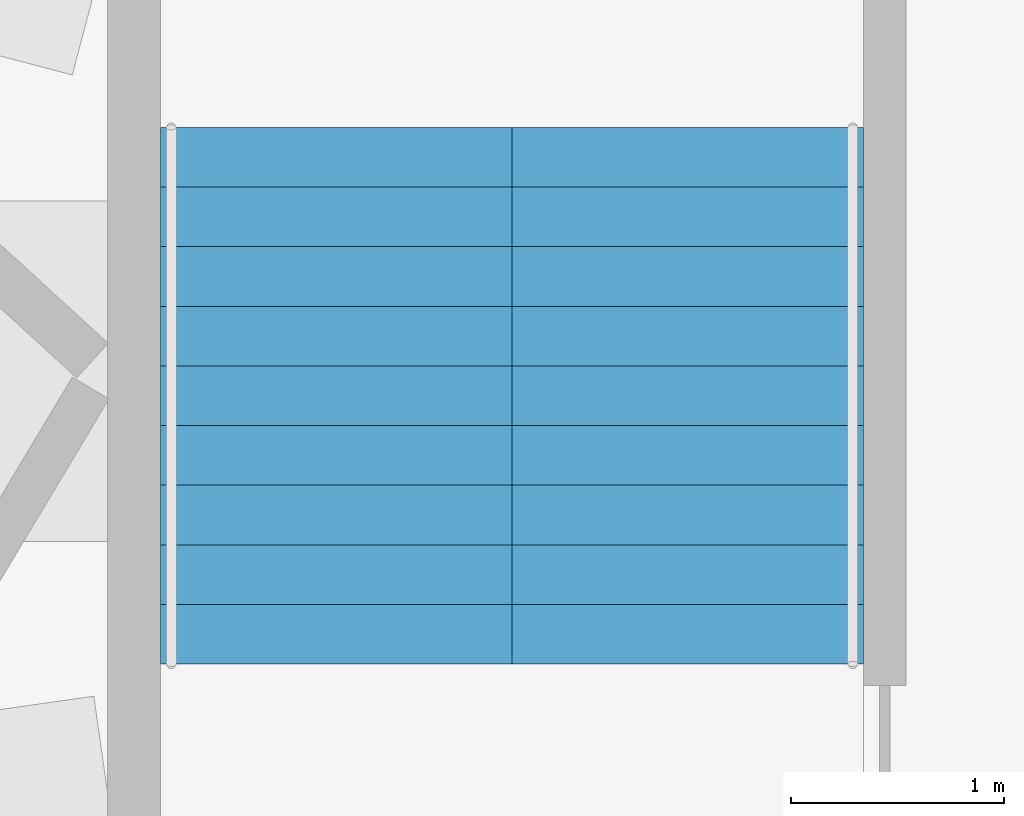
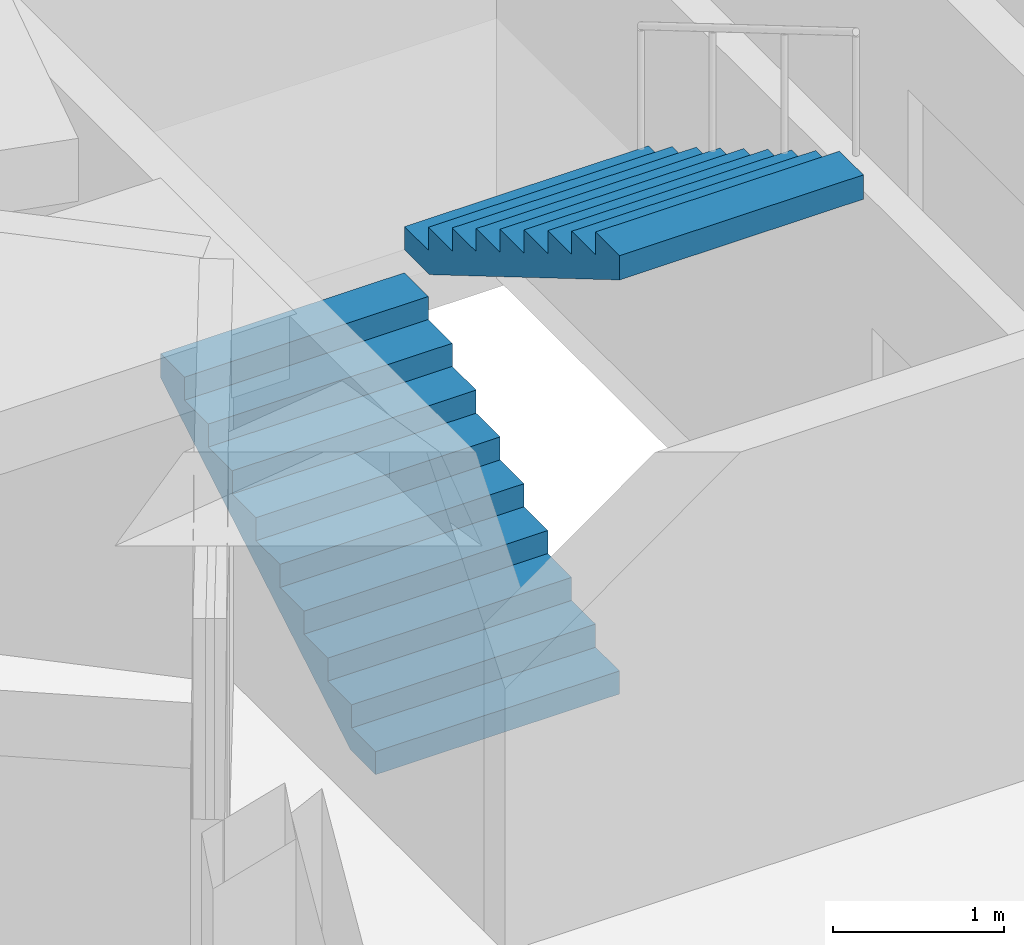
# One storey, part 9 of 12: 2 stair flights, 1 element without a shape of its own.
"""IFC4 building model written with IfcOpenShell, lengths in metres."""

from ifc_helpers import new_model, si_unit, direction, frame, origin, place, context, subcontext, project, spatial, polyline, outline, extrude, material, type_object, element, aggregate, save


model = new_model("IFC4")

# Units and contexts
model_context = context("Model", 3, precision=1e-05, world=origin(), true_north=direction((0.0, 1.0)))
body_context = subcontext(model_context, "Body", "Model", "MODEL_VIEW")
ifc_project = project(units=[si_unit("LENGTHUNIT", "METRE"), si_unit("AREAUNIT", "SQUARE_METRE"), si_unit("VOLUMEUNIT", "CUBIC_METRE"), si_unit("PLANEANGLEUNIT", "RADIAN"), si_unit("MASSUNIT", "GRAM", prefix="KILO")], contexts=[model_context])

# Site, building, storey
site_placement = place(None, origin())
site = spatial("IfcSite", under=ifc_project, at=site_placement, CompositionType="ELEMENT")
building_placement = place(site_placement, origin())
building = spatial("IfcBuilding", under=site, at=building_placement, Name="Taillehof Tower", CompositionType="ELEMENT")
storey_placement = place(building_placement, frame((0.0, 0.0, 148.39990234375)))
storey = spatial("IfcBuildingStorey", under=building, at=storey_placement, Name="L41", CompositionType="ELEMENT", Elevation=148.39990234375)

# Stair, stair flights
ifc_material_1 = material(Name="Concrete C40/50", Category="concrete")
stair_type = type_object("IfcStairType", Name="Exit stair half-turn", PredefinedType="HALF_TURN_STAIR", material=ifc_material_1)
stair_placement = place(storey_placement, origin())
stair = element("IfcStair", 1, at=stair_placement, inside=storey, type_object=stair_type, Name="Exit stair S3", PredefinedType="HALF_TURN_STAIR")
ifc_material_2 = material(Name="Concrete C40/50", Category="concrete")
stair_flight_type = type_object("IfcStairFlightType", Name="Stair flight 1650 riser 165.0 going 280", PredefinedType="STRAIGHT", material=ifc_material_2)
stair_flight_1_placement = place(storey_placement, frame((-13.425048828125, 9.449951171875, 0.0), z_axis=(0.0, 0.0, 1.0), x_axis=(0.0, 1.0, 0.0)))
stair_flight_1 = element("IfcStairFlight", 2, at=stair_flight_1_placement, type_object=stair_flight_type, Name="S3 flight 1", NumberOfRisers=10, NumberOfTreads=9, PredefinedType="STRAIGHT", RiserHeight=0.165, TreadLength=0.28, context=body_context, shape_type="SweptSolid", body=[
    extrude(outline(polyline([(0.0, 0.0), (0.0, 0.00537109375), (0.0, 0.0107421875), (0.0, 0.015869140625), (0.0, 0.021240234375), (0.0, 0.026611328125), (0.0, 0.031982421875), (0.0, 0.037353515625), (0.0, 0.04248046875), (0.0, 0.0478515625), (0.0, 0.05322265625), (0.0, 0.05859375), (0.0, 0.06396484375), (0.0, 0.069091796875), (0.0, 0.074462890625), (0.0, 0.079833984375), (0.0, 0.085205078125), (0.0, 0.090576171875), (0.0, 0.095703125), (0.0, 0.10107421875), (0.0, 0.1064453125), (0.0, 0.11181640625), (0.0, 0.1171875), (0.0, 0.122314453125), (0.0, 0.127685546875), (0.0, 0.133056640625), (0.0, 0.138427734375), (0.0, 0.143798828125), (0.0, 0.14892578125), (0.0, 0.154296875), (0.0, 0.15966796875), (0.0, 0.1650390625), (0.280029296875, 0.1650390625), (0.280029296875, 0.330078125), (0.56005859375, 0.330078125), (0.56005859375, 0.4951171875), (0.840087890625, 0.4951171875), (0.840087890625, 0.659912109375), (1.1201171875, 0.659912109375), (1.1201171875, 0.824951171875), (1.39990234375, 0.824951171875), (1.39990234375, 0.989990234375), (1.679931640625, 0.989990234375), (1.679931640625, 1.155029296875), (1.9599609375, 1.155029296875), (1.9599609375, 1.320068359375), (2.239990234375, 1.320068359375), (2.239990234375, 1.485107421875), (2.52001953125, 1.485107421875), (2.52001953125, 1.4794921875), (2.52001953125, 1.473876953125), (2.52001953125, 1.46826171875), (2.52001953125, 1.462646484375), (2.52001953125, 1.45703125), (2.52001953125, 1.451416015625), (2.52001953125, 1.44580078125), (2.52001953125, 1.440185546875), (2.52001953125, 1.4345703125), (2.52001953125, 1.428955078125), (2.52001953125, 1.42333984375), (2.52001953125, 1.417724609375), (2.52001953125, 1.412109375), (2.52001953125, 1.406494140625), (2.52001953125, 1.40087890625), (2.52001953125, 1.395263671875), (2.52001953125, 1.3896484375), (2.52001953125, 1.384033203125), (2.52001953125, 1.37841796875), (2.52001953125, 1.372802734375), (2.52001953125, 1.3671875), (2.52001953125, 1.361572265625), (2.52001953125, 1.35595703125), (2.52001953125, 1.350341796875), (2.52001953125, 1.3447265625), (2.52001953125, 1.339111328125), (2.52001953125, 1.33349609375), (2.52001953125, 1.327880859375), (2.52001953125, 1.322265625), (2.52001953125, 1.316650390625), (2.52001953125, 1.31103515625), (0.295166015625, 0.0), (0.0, 0.0)])), frame((0.0, 0.824951171875, 0.0), z_axis=(0.0, -1.0, 0.0), x_axis=(1.0, 0.0, 0.0)), (0.0, 0.0, 1.0), 1.65),
])
stair_flight_2_placement = place(storey_placement, frame((-11.77490234375, 11.969970703125, 1.650146484375), z_axis=(0.0, 0.0, 1.0), x_axis=(0.0, -1.0, 0.0)))
stair_flight_2 = element("IfcStairFlight", 3, at=stair_flight_2_placement, type_object=stair_flight_type, Name="S3 flight 2", NumberOfRisers=10, NumberOfTreads=9, PredefinedType="STRAIGHT", RiserHeight=0.165, TreadLength=0.28, context=body_context, shape_type="SweptSolid", body=[
    extrude(outline(polyline([(0.0, 0.0), (0.0, 0.00537109375), (0.0, 0.0107421875), (0.0, 0.015869140625), (0.0, 0.021240234375), (0.0, 0.026611328125), (0.0, 0.031982421875), (0.0, 0.037353515625), (0.0, 0.04248046875), (0.0, 0.0478515625), (0.0, 0.05322265625), (0.0, 0.05859375), (0.0, 0.06396484375), (0.0, 0.069091796875), (0.0, 0.074462890625), (0.0, 0.079833984375), (0.0, 0.085205078125), (0.0, 0.090576171875), (0.0, 0.095703125), (0.0, 0.10107421875), (0.0, 0.1064453125), (0.0, 0.11181640625), (0.0, 0.1171875), (0.0, 0.122314453125), (0.0, 0.127685546875), (0.0, 0.133056640625), (0.0, 0.138427734375), (0.0, 0.143798828125), (0.0, 0.14892578125), (0.0, 0.154296875), (0.0, 0.15966796875), (0.0, 0.1650390625), (0.280029296875, 0.1650390625), (0.280029296875, 0.330078125), (0.56005859375, 0.330078125), (0.56005859375, 0.4951171875), (0.840087890625, 0.4951171875), (0.840087890625, 0.659912109375), (1.1201171875, 0.659912109375), (1.1201171875, 0.824951171875), (1.39990234375, 0.824951171875), (1.39990234375, 0.989990234375), (1.679931640625, 0.989990234375), (1.679931640625, 1.155029296875), (1.9599609375, 1.155029296875), (1.9599609375, 1.320068359375), (2.239990234375, 1.320068359375), (2.239990234375, 1.485107421875), (2.52001953125, 1.485107421875), (2.52001953125, 1.4794921875), (2.52001953125, 1.473876953125), (2.52001953125, 1.46826171875), (2.52001953125, 1.462646484375), (2.52001953125, 1.45703125), (2.52001953125, 1.451416015625), (2.52001953125, 1.44580078125), (2.52001953125, 1.440185546875), (2.52001953125, 1.4345703125), (2.52001953125, 1.428955078125), (2.52001953125, 1.42333984375), (2.52001953125, 1.417724609375), (2.52001953125, 1.412109375), (2.52001953125, 1.406494140625), (2.52001953125, 1.40087890625), (2.52001953125, 1.395263671875), (2.52001953125, 1.3896484375), (2.52001953125, 1.384033203125), (2.52001953125, 1.37841796875), (2.52001953125, 1.372802734375), (2.52001953125, 1.3671875), (2.52001953125, 1.361572265625), (2.52001953125, 1.35595703125), (2.52001953125, 1.350341796875), (2.52001953125, 1.3447265625), (2.52001953125, 1.339111328125), (2.52001953125, 1.33349609375), (2.52001953125, 1.327880859375), (2.52001953125, 1.322265625), (2.52001953125, 1.316650390625), (2.52001953125, 1.31103515625), (0.295166015625, 0.0), (0.0, 0.0)])), frame((0.0, 0.824951171875, 0.0), z_axis=(0.0, -1.0, 0.0), x_axis=(1.0, 0.0, 0.0)), (0.0, 0.0, 1.0), 1.65),
])
aggregate(stair, [stair_flight_1, stair_flight_2])

save(model, "model.ifc")
